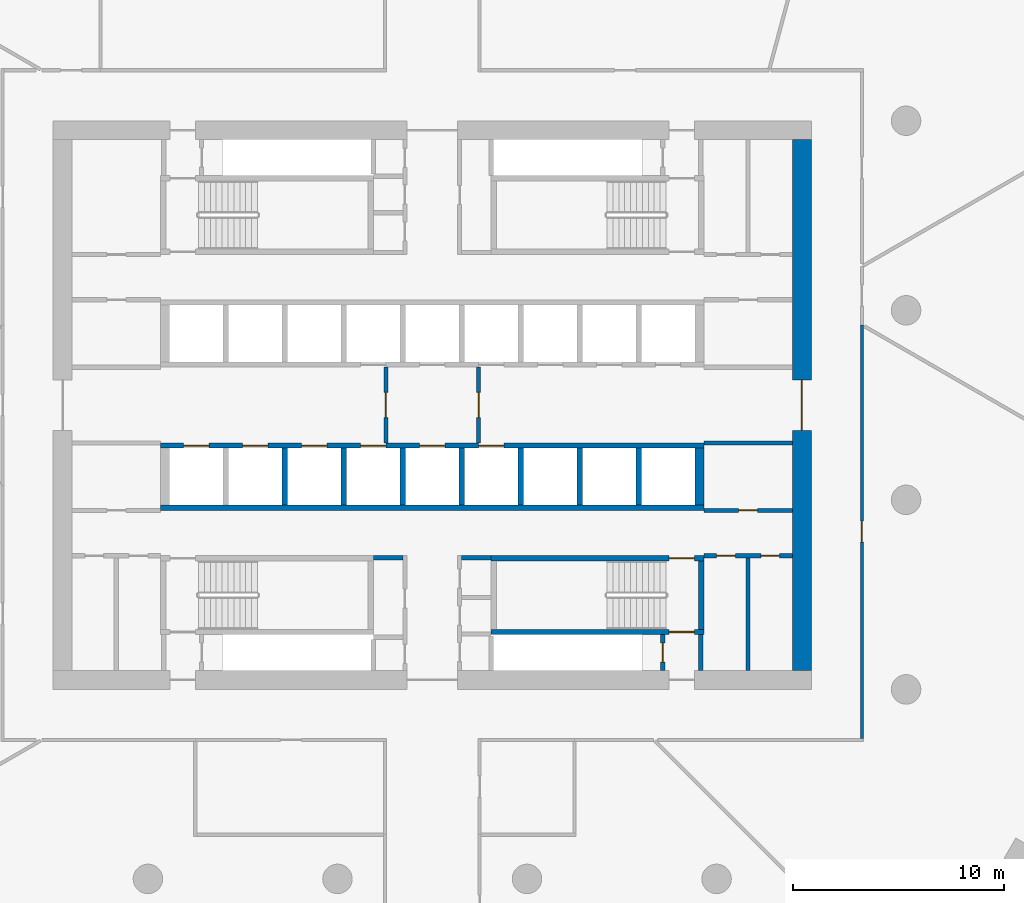
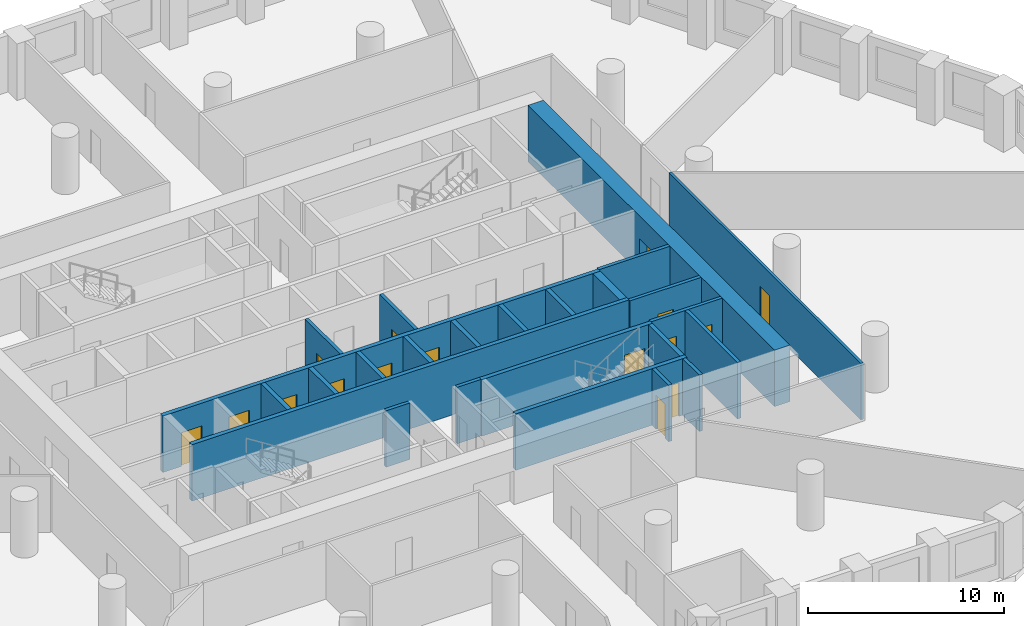
# One storey, part 4 of 10: 25 walls, 16 doors, 16 openings.
"""IFC4 building model written with IfcOpenShell, lengths in metres."""

from ifc_helpers import new_model, si_unit, direction, frame, frame_2d, origin, place, context, subcontext, project, spatial, polyline, rectangle, outline, extrude, material, layer, layer_set, type_object, element, fill, save


model = new_model("IFC4")

# Units and contexts
model_context = context("Model", 3, precision=1e-05, world=origin(), true_north=direction((0.0, 1.0)))
body_context = subcontext(model_context, "Body", "Model", "MODEL_VIEW")
ifc_project = project(units=[si_unit("LENGTHUNIT", "METRE"), si_unit("AREAUNIT", "SQUARE_METRE"), si_unit("VOLUMEUNIT", "CUBIC_METRE"), si_unit("PLANEANGLEUNIT", "RADIAN"), si_unit("MASSUNIT", "GRAM", prefix="KILO")], contexts=[model_context])

# Site, building, storey
site_placement = place(None, origin())
site = spatial("IfcSite", under=ifc_project, at=site_placement, CompositionType="ELEMENT")
building_placement = place(site_placement, origin())
building = spatial("IfcBuilding", under=site, at=building_placement, Name="Dhurran Vertical Campus", CompositionType="ELEMENT")
storey_placement = place(building_placement, frame((0.0, 0.0, 41.699951171875)))
storey = spatial("IfcBuildingStorey", under=building, at=storey_placement, Name="L09", CompositionType="ELEMENT", Elevation=41.699951171875)

# Wall, opening, door
ifc_material_1 = material(Name="Concrete C60/75", Category="concrete")
ifc_layer_1 = layer(ifc_material_1, 0.89990234375)
ifc_layer_set_1 = layer_set([ifc_layer_1], Name="Concrete C60/75")
wall_type_1 = type_object("IfcWallType", Name="co-CORE-WALL-C0-900", PredefinedType="SHEAR", material=ifc_layer_set_1)
wall_1_placement = place(storey_placement, frame((17.550048828125, -12.60009765625, 0.0), z_axis=(0.0, 0.0, 1.0), x_axis=(0.0, 1.0, 0.0)))
wall_1 = element("IfcWall", 1, at=wall_1_placement, inside=storey, type_object=wall_type_1, Name="Core wall E L09", PredefinedType="SHEAR", context=body_context, shape_type="SweptSolid", body=[
    extrude(rectangle(XDim=25.2001953125, YDim=0.89990234375, at=frame_2d((12.60009765625, 0.0))), origin(), (0.0, 0.0, 1.0), 3.525146484375),
])
opening_1_placement = place(wall_1_placement, frame((11.39990234375, 0.0, 0.0)))
opening_1 = element("IfcOpeningElement", 2, at=opening_1_placement, cuts=wall_1, Name="Opening CL2", PredefinedType="OPENING", context=body_context, shape_type="SweptSolid", body=[
    extrude(rectangle(XDim=2.39990234375, YDim=2.10009765625, at=frame_2d((1.199951171875, 1.050048828125))), frame((0.0, 0.4599609375, 0.0), z_axis=(0.0, -1.0, 0.0), x_axis=(1.0, 0.0, 0.0)), (0.0, 0.0, 1.0), 0.919921875),
])
ifc_material_2 = material(Name="Fire-rated glazed door set")
door_type_1 = type_object("IfcDoorType", Name="co-D-LOBBY 2400x2100", OperationType="DOUBLE_DOOR_DOUBLE_SWING", PredefinedType="DOOR", material=ifc_material_2)
door_1_placement = place(opening_1_placement, origin())
door_1 = element("IfcDoor", 3, at=door_1_placement, inside=storey, type_object=door_type_1, Name="Lift lobby door E L09", OperationType="DOUBLE_DOOR_DOUBLE_SWING", OverallHeight=2.10009765625, OverallWidth=2.39990234375, PredefinedType="DOOR", context=body_context, shape_type="SweptSolid", body=[
    extrude(rectangle(XDim=2.39990234375, YDim=2.10009765625, at=frame_2d((1.199951171875, 1.050048828125))), frame((0.0, 0.02490234375, 0.0), z_axis=(0.0, -1.0, 0.0), x_axis=(1.0, 0.0, 0.0)), (0.0, 0.0, 1.0), 0.050048828125),
])
fill(opening_1, door_1)

ifc_material_3 = material(Name="Fire-rated masonry blockwork", Category="masonry")
ifc_layer_2 = layer(ifc_material_3, 0.199951171875)
ifc_layer_set_2 = layer_set([ifc_layer_2], Name="Fire-rated masonry blockwork")
wall_type_2 = type_object("IfcWallType", Name="co-FIRE-PARTITION-200", PredefinedType="PARTITIONING", material=ifc_layer_set_2)
wall_2_placement = place(storey_placement, frame((-2.199951171875, -1.800048828125, 0.0), z_axis=(0.0, 0.0, 1.0), x_axis=(0.0, 1.0, 0.0)))
wall_2 = element("IfcWall", 4, at=wall_2_placement, inside=storey, type_object=wall_type_2, Name="Firefighting lobby wall W L09", PredefinedType="PARTITIONING", context=body_context, shape_type="SweptSolid", body=[
    extrude(rectangle(XDim=3.60009765625, YDim=0.199951171875, at=frame_2d((1.800048828125, 0.0))), origin(), (0.0, 0.0, 1.0), 3.525146484375),
])
opening_2_placement = place(wall_2_placement, frame((1.199951171875, 0.0, 0.0)))
opening_2 = element("IfcOpeningElement", 5, at=opening_2_placement, cuts=wall_2, Name="Opening FL1", PredefinedType="OPENING", context=body_context, shape_type="SweptSolid", body=[
    extrude(rectangle(XDim=1.199951171875, YDim=2.10009765625, at=frame_2d((0.60009765625, 1.050048828125))), frame((0.0, 0.10986328125, 0.0), z_axis=(0.0, -1.0, 0.0), x_axis=(1.0, 0.0, 0.0)), (0.0, 0.0, 1.0), 0.219970703125),
])
ifc_material_4 = material(Name="Fire-rated steel door set", Category="steel")
door_type_2 = type_object("IfcDoorType", Name="co-D-FFLOBBY 1200x2100", OperationType="SINGLE_SWING_LEFT", PredefinedType="DOOR", material=ifc_material_4)
door_2_placement = place(opening_2_placement, origin())
door_2 = element("IfcDoor", 6, at=door_2_placement, inside=storey, type_object=door_type_2, Name="Firefighting lobby door W L09", OperationType="SINGLE_SWING_LEFT", OverallHeight=2.10009765625, OverallWidth=1.199951171875, PredefinedType="DOOR", context=body_context, shape_type="SweptSolid", body=[
    extrude(rectangle(XDim=1.199951171875, YDim=2.10009765625, at=frame_2d((0.60009765625, 1.050048828125))), frame((0.0, 0.02490234375, 0.0), z_axis=(0.0, -1.0, 0.0), x_axis=(1.0, 0.0, 0.0)), (0.0, 0.0, 1.0), 0.050048828125),
])
fill(opening_2, door_2)

wall_3_placement = place(storey_placement, frame((2.199951171875, -1.800048828125, 0.0), z_axis=(0.0, 0.0, 1.0), x_axis=(0.0, 1.0, 0.0)))
wall_3 = element("IfcWall", 7, at=wall_3_placement, inside=storey, type_object=wall_type_2, Name="Firefighting lobby wall E L09", PredefinedType="PARTITIONING", context=body_context, shape_type="SweptSolid", body=[
    extrude(rectangle(XDim=3.60009765625, YDim=0.199951171875, at=frame_2d((1.800048828125, 0.0))), origin(), (0.0, 0.0, 1.0), 3.525146484375),
])
opening_3_placement = place(wall_3_placement, frame((1.199951171875, 0.0, 0.0)))
opening_3 = element("IfcOpeningElement", 8, at=opening_3_placement, cuts=wall_3, Name="Opening FL2", PredefinedType="OPENING", context=body_context, shape_type="SweptSolid", body=[
    extrude(rectangle(XDim=1.199951171875, YDim=2.10009765625, at=frame_2d((0.60009765625, 1.050048828125))), frame((0.0, 0.10986328125, 0.0), z_axis=(0.0, -1.0, 0.0), x_axis=(1.0, 0.0, 0.0)), (0.0, 0.0, 1.0), 0.219970703125),
])
door_3_placement = place(opening_3_placement, origin())
door_3 = element("IfcDoor", 9, at=door_3_placement, inside=storey, type_object=door_type_2, Name="Firefighting lobby door E L09", OperationType="SINGLE_SWING_LEFT", OverallHeight=2.10009765625, OverallWidth=1.199951171875, PredefinedType="DOOR", context=body_context, shape_type="SweptSolid", body=[
    extrude(rectangle(XDim=1.199951171875, YDim=2.10009765625, at=frame_2d((0.60009765625, 1.050048828125))), frame((0.0, 0.02490234375, 0.0), z_axis=(0.0, -1.0, 0.0), x_axis=(1.0, 0.0, 0.0)), (0.0, 0.0, 1.0), 0.050048828125),
])
fill(opening_3, door_3)

# Walls
for number, where, z_axis, x_axis, name in (
    (10, (-2.800048828125, -7.25, 0.0), (0.0, 0.0, 1.0), (1.0, 0.0, 0.0), "Core partition sl-SW-S L09"),
    (11, (1.39990234375, -7.25, 0.0), (0.0, 0.0, 1.0), (1.0, 0.0, 0.0), "Core partition sl-SE-S L09"),
):
    element("IfcWall", number, at=place(storey_placement, frame(where, z_axis=z_axis, x_axis=x_axis)), inside=storey, type_object=wall_type_2, Name=name, PredefinedType="PARTITIONING", context=body_context, shape_type="SweptSolid", body=[
        extrude(rectangle(XDim=1.400146484375, YDim=0.199951171875, at=frame_2d((0.7001953125, 0.0))), origin(), (0.0, 0.0, 1.0), 3.525146484375),
    ])
wall_4_placement = place(storey_placement, frame((12.75, -12.60009765625, 0.0), z_axis=(0.0, 0.0, 1.0), x_axis=(0.0, 1.0, 0.0)))
element("IfcWall", 12, at=wall_4_placement, inside=storey, type_object=wall_type_2, Name="Core partition pass-ST4-o L09", PredefinedType="PARTITIONING", context=body_context, shape_type="SweptSolid", body=[
    extrude(rectangle(XDim=1.7001953125, YDim=0.199951171875, at=frame_2d((0.85009765625, 0.0))), origin(), (0.0, 0.0, 1.0), 3.525146484375),
])

# Wall, opening, door
wall_5_placement = place(storey_placement, frame((10.949951171875, -12.60009765625, 0.0), z_axis=(0.0, 0.0, 1.0), x_axis=(0.0, 1.0, 0.0)))
wall_5 = element("IfcWall", 13, at=wall_5_placement, inside=storey, type_object=wall_type_2, Name="Core partition pass-ST4-i L09", PredefinedType="PARTITIONING", context=body_context, shape_type="SweptSolid", body=[
    extrude(rectangle(XDim=1.7001953125, YDim=0.199951171875, at=frame_2d((0.85009765625, 0.0))), origin(), (0.0, 0.0, 1.0), 3.525146484375),
])
opening_4_placement = place(wall_5_placement, frame((0.39990234375, 0.0, 0.0)))
opening_4 = element("IfcOpeningElement", 14, at=opening_4_placement, cuts=wall_5, Name="Opening T02-C13", PredefinedType="OPENING", context=body_context, shape_type="SweptSolid", body=[
    extrude(rectangle(XDim=0.89990234375, YDim=2.10009765625, at=frame_2d((0.449951171875, 1.050048828125))), frame((0.0, 0.10986328125, 0.0), z_axis=(0.0, -1.0, 0.0), x_axis=(1.0, 0.0, 0.0)), (0.0, 0.0, 1.0), 0.219970703125),
])
ifc_material_5 = material(Name="Fire-rated timber door set", Category="wood")
door_type_3 = type_object("IfcDoorType", Name="co-D-ROOM 900x2100", OperationType="SINGLE_SWING_LEFT", PredefinedType="DOOR", material=ifc_material_5)
door_4_placement = place(opening_4_placement, origin())
door_4 = element("IfcDoor", 15, at=door_4_placement, inside=storey, type_object=door_type_3, Name="Riser room door L09", OperationType="SINGLE_SWING_LEFT", OverallHeight=2.10009765625, OverallWidth=0.89990234375, PredefinedType="DOOR", context=body_context, shape_type="SweptSolid", body=[
    extrude(rectangle(XDim=0.89990234375, YDim=2.10009765625, at=frame_2d((0.449951171875, 1.050048828125))), frame((0.0, 0.02490234375, 0.0), z_axis=(0.0, -1.0, 0.0), x_axis=(1.0, 0.0, 0.0)), (0.0, 0.0, 1.0), 0.050048828125),
])
fill(opening_4, door_4)

# Wall
wall_6_placement = place(storey_placement, frame((15.0, -12.60009765625, 0.0), z_axis=(0.0, 0.0, 1.0), x_axis=(0.0, 1.0, 0.0)))
element("IfcWall", 16, at=wall_6_placement, inside=storey, type_object=wall_type_2, Name="Core partition en-SE-cut0 L09", PredefinedType="PARTITIONING", context=body_context, shape_type="SweptSolid", body=[
    extrude(rectangle(XDim=5.4501953125, YDim=0.199951171875, at=frame_2d((2.72509765625, 0.0))), origin(), (0.0, 0.0, 1.0), 3.525146484375),
])

# Wall, openings, doors
wall_7_placement = place(storey_placement, frame((12.89990234375, -7.14990234375, 0.0), z_axis=(0.0, 0.0, 1.0), x_axis=(1.0, 0.0, 0.0)))
wall_7 = element("IfcWall", 17, at=wall_7_placement, inside=storey, type_object=wall_type_2, Name="Core partition en-SE-w L09", PredefinedType="PARTITIONING", context=body_context, shape_type="SweptSolid", body=[
    extrude(rectangle(XDim=4.2001953125, YDim=0.199951171875, at=frame_2d((2.10009765625, 0.0))), origin(), (0.0, 0.0, 1.0), 3.525146484375),
])
opening_5_placement = place(wall_7_placement, frame((0.60009765625, 0.0, 0.0)))
opening_5 = element("IfcOpeningElement", 18, at=opening_5_placement, cuts=wall_7, Name="Opening T02-C22", PredefinedType="OPENING", context=body_context, shape_type="SweptSolid", body=[
    extrude(rectangle(XDim=0.89990234375, YDim=2.10009765625, at=frame_2d((0.449951171875, 1.050048828125))), frame((0.0, 0.10986328125, 0.0), z_axis=(0.0, -1.0, 0.0), x_axis=(1.0, 0.0, 0.0)), (0.0, 0.0, 1.0), 0.219970703125),
])
opening_6_placement = place(wall_7_placement, frame((2.699951171875, 0.0, 0.0)))
opening_6 = element("IfcOpeningElement", 19, at=opening_6_placement, cuts=wall_7, Name="Opening T02-C23", PredefinedType="OPENING", context=body_context, shape_type="SweptSolid", body=[
    extrude(rectangle(XDim=0.89990234375, YDim=2.10009765625, at=frame_2d((0.449951171875, 1.050048828125))), frame((0.0, 0.10986328125, 0.0), z_axis=(0.0, -1.0, 0.0), x_axis=(1.0, 0.0, 0.0)), (0.0, 0.0, 1.0), 0.219970703125),
])
door_5_placement = place(opening_5_placement, origin())
door_5 = element("IfcDoor", 20, at=door_5_placement, inside=storey, type_object=door_type_3, Name="Store door L09", OperationType="SINGLE_SWING_LEFT", OverallHeight=2.10009765625, OverallWidth=0.89990234375, PredefinedType="DOOR", context=body_context, shape_type="SweptSolid", body=[
    extrude(rectangle(XDim=0.89990234375, YDim=2.10009765625, at=frame_2d((0.449951171875, 1.050048828125))), frame((0.0, 0.02490234375, 0.0), z_axis=(0.0, -1.0, 0.0), x_axis=(1.0, 0.0, 0.0)), (0.0, 0.0, 1.0), 0.050048828125),
])
fill(opening_5, door_5)
door_6_placement = place(opening_6_placement, origin())
door_6 = element("IfcDoor", 21, at=door_6_placement, inside=storey, type_object=door_type_3, Name="Housekeeping store door L09", OperationType="SINGLE_SWING_LEFT", OverallHeight=2.10009765625, OverallWidth=0.89990234375, PredefinedType="DOOR", context=body_context, shape_type="SweptSolid", body=[
    extrude(rectangle(XDim=0.89990234375, YDim=2.10009765625, at=frame_2d((0.449951171875, 1.050048828125))), frame((0.0, 0.02490234375, 0.0), z_axis=(0.0, -1.0, 0.0), x_axis=(1.0, 0.0, 0.0)), (0.0, 0.0, 1.0), 0.050048828125),
])
fill(opening_6, door_6)

# Wall, opening, door
wall_8_placement = place(storey_placement, frame((12.89990234375, -5.0, 0.0), z_axis=(0.0, 0.0, 1.0), x_axis=(1.0, 0.0, 0.0)))
wall_8 = element("IfcWall", 22, at=wall_8_placement, inside=storey, type_object=wall_type_2, Name="Core partition es-SE-w L09", PredefinedType="PARTITIONING", context=body_context, shape_type="SweptSolid", body=[
    extrude(rectangle(XDim=4.2001953125, YDim=0.199951171875, at=frame_2d((2.10009765625, 0.0))), origin(), (0.0, 0.0, 1.0), 3.525146484375),
])
opening_7_placement = place(wall_8_placement, frame((1.64990234375, 0.0, 0.0)))
opening_7 = element("IfcOpeningElement", 23, at=opening_7_placement, cuts=wall_8, Name="Opening T02-C24", PredefinedType="OPENING", context=body_context, shape_type="SweptSolid", body=[
    extrude(rectangle(XDim=0.89990234375, YDim=2.10009765625, at=frame_2d((0.449951171875, 1.050048828125))), frame((0.0, 0.10986328125, 0.0), z_axis=(0.0, -1.0, 0.0), x_axis=(1.0, 0.0, 0.0)), (0.0, 0.0, 1.0), 0.219970703125),
])
door_7_placement = place(opening_7_placement, origin())
door_7 = element("IfcDoor", 24, at=door_7_placement, inside=storey, type_object=door_type_3, Name="Water riser door L09", OperationType="SINGLE_SWING_LEFT", OverallHeight=2.10009765625, OverallWidth=0.89990234375, PredefinedType="DOOR", context=body_context, shape_type="SweptSolid", body=[
    extrude(rectangle(XDim=0.89990234375, YDim=2.10009765625, at=frame_2d((0.449951171875, 1.050048828125))), frame((0.0, 0.02490234375, 0.0), z_axis=(0.0, -1.0, 0.0), x_axis=(1.0, 0.0, 0.0)), (0.0, 0.0, 1.0), 0.050048828125),
])
fill(opening_7, door_7)

# Wall
wall_9_placement = place(storey_placement, frame((12.89990234375, -1.800048828125, 0.0), z_axis=(0.0, 0.0, 1.0), x_axis=(1.0, 0.0, 0.0)))
element("IfcWall", 25, at=wall_9_placement, inside=storey, type_object=wall_type_2, Name="Core partition es-SE-l L09", PredefinedType="PARTITIONING", context=body_context, shape_type="SweptSolid", body=[
    extrude(rectangle(XDim=4.2001953125, YDim=0.199951171875, at=frame_2d((2.10009765625, 0.0))), origin(), (0.0, 0.0, 1.0), 3.525146484375),
])

# Wall, openings, doors
ifc_material_6 = material(Name="Concrete C50/60", Category="concrete")
ifc_layer_3 = layer(ifc_material_6, 0.25)
ifc_layer_set_3 = layer_set([ifc_layer_3], Name="Concrete C50/60")
wall_type_3 = type_object("IfcWallType", Name="co-SHAFT-FRONT-250", PredefinedType="SHEAR", material=ifc_layer_set_3)
wall_10_placement = place(storey_placement, frame((-12.89990234375, -1.925048828125, 0.0), z_axis=(0.0, 0.0, 1.0), x_axis=(1.0, 0.0, 0.0)))
wall_10 = element("IfcWall", 26, at=wall_10_placement, inside=storey, type_object=wall_type_3, Name="Lift landing wall S L09", PredefinedType="SHEAR", context=body_context, shape_type="SweptSolid", body=[
    extrude(rectangle(XDim=25.7998046875, YDim=0.25, at=frame_2d((12.89990234375, 0.0))), origin(), (0.0, 0.0, 1.0), 3.525146484375),
])
opening_8_placement = place(wall_10_placement, frame((1.10009765625, 0.0, 0.0)))
opening_8 = element("IfcOpeningElement", 27, at=opening_8_placement, cuts=wall_10, Name="Opening LD", PredefinedType="OPENING", context=body_context, shape_type="SweptSolid", body=[
    extrude(rectangle(XDim=1.199951171875, YDim=2.10009765625, at=frame_2d((0.60009765625, 1.050048828125))), frame((0.0, 0.135009765625, 0.0), z_axis=(0.0, -1.0, 0.0), x_axis=(1.0, 0.0, 0.0)), (0.0, 0.0, 1.0), 0.27001953125),
])
opening_9_placement = place(wall_10_placement, frame((3.89990234375, 0.0, 0.0)))
opening_9 = element("IfcOpeningElement", 28, at=opening_9_placement, cuts=wall_10, Name="Opening LD", PredefinedType="OPENING", context=body_context, shape_type="SweptSolid", body=[
    extrude(rectangle(XDim=1.199951171875, YDim=2.10009765625, at=frame_2d((0.60009765625, 1.050048828125))), frame((0.0, 0.135009765625, 0.0), z_axis=(0.0, -1.0, 0.0), x_axis=(1.0, 0.0, 0.0)), (0.0, 0.0, 1.0), 0.27001953125),
])
opening_10_placement = place(wall_10_placement, frame((6.699951171875, 0.0, 0.0)))
opening_10 = element("IfcOpeningElement", 29, at=opening_10_placement, cuts=wall_10, Name="Opening LD", PredefinedType="OPENING", context=body_context, shape_type="SweptSolid", body=[
    extrude(rectangle(XDim=1.199951171875, YDim=2.10009765625, at=frame_2d((0.60009765625, 1.050048828125))), frame((0.0, 0.135009765625, 0.0), z_axis=(0.0, -1.0, 0.0), x_axis=(1.0, 0.0, 0.0)), (0.0, 0.0, 1.0), 0.27001953125),
])
opening_11_placement = place(wall_10_placement, frame((9.5, 0.0, 0.0)))
opening_11 = element("IfcOpeningElement", 30, at=opening_11_placement, cuts=wall_10, Name="Opening LD", PredefinedType="OPENING", context=body_context, shape_type="SweptSolid", body=[
    extrude(rectangle(XDim=1.199951171875, YDim=2.10009765625, at=frame_2d((0.60009765625, 1.050048828125))), frame((0.0, 0.135009765625, 0.0), z_axis=(0.0, -1.0, 0.0), x_axis=(1.0, 0.0, 0.0)), (0.0, 0.0, 1.0), 0.27001953125),
])
opening_12_placement = place(wall_10_placement, frame((12.300048828125, 0.0, 0.0)))
opening_12 = element("IfcOpeningElement", 31, at=opening_12_placement, cuts=wall_10, Name="Opening LD", PredefinedType="OPENING", context=body_context, shape_type="SweptSolid", body=[
    extrude(rectangle(XDim=1.199951171875, YDim=2.10009765625, at=frame_2d((0.60009765625, 1.050048828125))), frame((0.0, 0.135009765625, 0.0), z_axis=(0.0, -1.0, 0.0), x_axis=(1.0, 0.0, 0.0)), (0.0, 0.0, 1.0), 0.27001953125),
])
opening_13_placement = place(wall_10_placement, frame((15.10009765625, 0.0, 0.0)))
opening_13 = element("IfcOpeningElement", 32, at=opening_13_placement, cuts=wall_10, Name="Opening LD", PredefinedType="OPENING", context=body_context, shape_type="SweptSolid", body=[
    extrude(rectangle(XDim=1.199951171875, YDim=2.10009765625, at=frame_2d((0.60009765625, 1.050048828125))), frame((0.0, 0.135009765625, 0.0), z_axis=(0.0, -1.0, 0.0), x_axis=(1.0, 0.0, 0.0)), (0.0, 0.0, 1.0), 0.27001953125),
])
ifc_material_7 = material(Name="Stainless steel landing door", Category="steel")
door_type_4 = type_object("IfcDoorType", Name="co-D-LANDING 1200x2100", OperationType="DOUBLE_DOOR_SLIDING", PredefinedType="DOOR", material=ifc_material_7)
door_8_placement = place(opening_8_placement, origin())
door_8 = element("IfcDoor", 33, at=door_8_placement, inside=storey, type_object=door_type_4, Name="Landing door LR5 L09", OperationType="DOUBLE_DOOR_SLIDING", OverallHeight=2.10009765625, OverallWidth=1.199951171875, PredefinedType="DOOR", context=body_context, shape_type="SweptSolid", body=[
    extrude(rectangle(XDim=1.199951171875, YDim=2.10009765625, at=frame_2d((0.60009765625, 1.050048828125))), frame((0.0, 0.02490234375, 0.0), z_axis=(0.0, -1.0, 0.0), x_axis=(1.0, 0.0, 0.0)), (0.0, 0.0, 1.0), 0.050048828125),
])
fill(opening_8, door_8)
door_9_placement = place(opening_9_placement, origin())
door_9 = element("IfcDoor", 34, at=door_9_placement, inside=storey, type_object=door_type_4, Name="Landing door LR6 L09", OperationType="DOUBLE_DOOR_SLIDING", OverallHeight=2.10009765625, OverallWidth=1.199951171875, PredefinedType="DOOR", context=body_context, shape_type="SweptSolid", body=[
    extrude(rectangle(XDim=1.199951171875, YDim=2.10009765625, at=frame_2d((0.60009765625, 1.050048828125))), frame((0.0, 0.02490234375, 0.0), z_axis=(0.0, -1.0, 0.0), x_axis=(1.0, 0.0, 0.0)), (0.0, 0.0, 1.0), 0.050048828125),
])
fill(opening_9, door_9)
door_10_placement = place(opening_10_placement, origin())
door_10 = element("IfcDoor", 35, at=door_10_placement, inside=storey, type_object=door_type_4, Name="Landing door LR7 L09", OperationType="DOUBLE_DOOR_SLIDING", OverallHeight=2.10009765625, OverallWidth=1.199951171875, PredefinedType="DOOR", context=body_context, shape_type="SweptSolid", body=[
    extrude(rectangle(XDim=1.199951171875, YDim=2.10009765625, at=frame_2d((0.60009765625, 1.050048828125))), frame((0.0, 0.02490234375, 0.0), z_axis=(0.0, -1.0, 0.0), x_axis=(1.0, 0.0, 0.0)), (0.0, 0.0, 1.0), 0.050048828125),
])
fill(opening_10, door_10)
door_11_placement = place(opening_11_placement, origin())
door_11 = element("IfcDoor", 36, at=door_11_placement, inside=storey, type_object=door_type_4, Name="Landing door LR8 L09", OperationType="DOUBLE_DOOR_SLIDING", OverallHeight=2.10009765625, OverallWidth=1.199951171875, PredefinedType="DOOR", context=body_context, shape_type="SweptSolid", body=[
    extrude(rectangle(XDim=1.199951171875, YDim=2.10009765625, at=frame_2d((0.60009765625, 1.050048828125))), frame((0.0, 0.02490234375, 0.0), z_axis=(0.0, -1.0, 0.0), x_axis=(1.0, 0.0, 0.0)), (0.0, 0.0, 1.0), 0.050048828125),
])
fill(opening_11, door_11)
door_12_placement = place(opening_12_placement, origin())
door_12 = element("IfcDoor", 37, at=door_12_placement, inside=storey, type_object=door_type_4, Name="Landing door FF2 L09", OperationType="DOUBLE_DOOR_SLIDING", OverallHeight=2.10009765625, OverallWidth=1.199951171875, PredefinedType="DOOR", context=body_context, shape_type="SweptSolid", body=[
    extrude(rectangle(XDim=1.199951171875, YDim=2.10009765625, at=frame_2d((0.60009765625, 1.050048828125))), frame((0.0, 0.02490234375, 0.0), z_axis=(0.0, -1.0, 0.0), x_axis=(1.0, 0.0, 0.0)), (0.0, 0.0, 1.0), 0.050048828125),
])
fill(opening_12, door_12)
door_13_placement = place(opening_13_placement, origin())
door_13 = element("IfcDoor", 38, at=door_13_placement, inside=storey, type_object=door_type_4, Name="Landing door SV1 L09", OperationType="DOUBLE_DOOR_SLIDING", OverallHeight=2.10009765625, OverallWidth=1.199951171875, PredefinedType="DOOR", context=body_context, shape_type="SweptSolid", body=[
    extrude(rectangle(XDim=1.199951171875, YDim=2.10009765625, at=frame_2d((0.60009765625, 1.050048828125))), frame((0.0, 0.02490234375, 0.0), z_axis=(0.0, -1.0, 0.0), x_axis=(1.0, 0.0, 0.0)), (0.0, 0.0, 1.0), 0.050048828125),
])
fill(opening_13, door_13)

# Walls
ifc_material_8 = material(Name="Concrete C50/60", Category="concrete")
ifc_layer_4 = layer(ifc_material_8, 0.25)
ifc_layer_set_4 = layer_set([ifc_layer_4], Name="Concrete C50/60")
wall_type_4 = type_object("IfcWallType", Name="co-SHAFT-MASS-250", PredefinedType="SHEAR", material=ifc_layer_set_4)
wall_11_placement = place(storey_placement, origin())
element("IfcWall", 39, at=wall_11_placement, inside=storey, type_object=wall_type_4, Name="Lift shaft wall S L09 1", PredefinedType="SHEAR", context=body_context, shape_type="SweptSolid", body=[
    extrude(outline(polyline([(-12.89990234375, -5.0), (12.89990234375, -5.0), (12.89990234375, -4.75), (-12.89990234375, -4.75), (-12.89990234375, -5.0)])), origin(), (0.0, 0.0, 1.0), 3.525146484375),
])
wall_12_placement = place(storey_placement, origin())
element("IfcWall", 40, at=wall_12_placement, inside=storey, type_object=wall_type_4, Name="Lift shaft wall S L09 4", PredefinedType="SHEAR", context=body_context, shape_type="SweptSolid", body=[
    extrude(outline(polyline([(-7.125, -4.75), (-6.875, -4.75), (-6.875, -2.050048828125), (-7.125, -2.050048828125), (-7.125, -4.75)])), origin(), (0.0, 0.0, 1.0), 3.525146484375),
])
wall_13_placement = place(storey_placement, origin())
element("IfcWall", 41, at=wall_13_placement, inside=storey, type_object=wall_type_4, Name="Lift shaft wall S L09 5", PredefinedType="SHEAR", context=body_context, shape_type="SweptSolid", body=[
    extrude(outline(polyline([(-4.324951171875, -4.75), (-4.074951171875, -4.75), (-4.074951171875, -2.050048828125), (-4.324951171875, -2.050048828125), (-4.324951171875, -4.75)])), origin(), (0.0, 0.0, 1.0), 3.525146484375),
])
wall_14_placement = place(storey_placement, origin())
element("IfcWall", 42, at=wall_14_placement, inside=storey, type_object=wall_type_4, Name="Lift shaft wall S L09 6", PredefinedType="SHEAR", context=body_context, shape_type="SweptSolid", body=[
    extrude(outline(polyline([(-1.52490234375, -4.75), (-1.27490234375, -4.75), (-1.27490234375, -2.050048828125), (-1.52490234375, -2.050048828125), (-1.52490234375, -4.75)])), origin(), (0.0, 0.0, 1.0), 3.525146484375),
])
wall_15_placement = place(storey_placement, origin())
element("IfcWall", 43, at=wall_15_placement, inside=storey, type_object=wall_type_4, Name="Lift shaft wall S L09 7", PredefinedType="SHEAR", context=body_context, shape_type="SweptSolid", body=[
    extrude(outline(polyline([(1.27490234375, -4.75), (1.52490234375, -4.75), (1.52490234375, -2.050048828125), (1.27490234375, -2.050048828125), (1.27490234375, -4.75)])), origin(), (0.0, 0.0, 1.0), 3.525146484375),
])
wall_16_placement = place(storey_placement, origin())
element("IfcWall", 44, at=wall_16_placement, inside=storey, type_object=wall_type_4, Name="Lift shaft wall S L09 8", PredefinedType="SHEAR", context=body_context, shape_type="SweptSolid", body=[
    extrude(outline(polyline([(4.074951171875, -4.75), (4.324951171875, -4.75), (4.324951171875, -2.050048828125), (4.074951171875, -2.050048828125), (4.074951171875, -4.75)])), origin(), (0.0, 0.0, 1.0), 3.525146484375),
])
wall_17_placement = place(storey_placement, origin())
element("IfcWall", 45, at=wall_17_placement, inside=storey, type_object=wall_type_4, Name="Lift shaft wall S L09 9", PredefinedType="SHEAR", context=body_context, shape_type="SweptSolid", body=[
    extrude(outline(polyline([(6.875, -4.75), (7.125, -4.75), (7.125, -2.050048828125), (6.875, -2.050048828125), (6.875, -4.75)])), origin(), (0.0, 0.0, 1.0), 3.525146484375),
])
wall_18_placement = place(storey_placement, origin())
element("IfcWall", 46, at=wall_18_placement, inside=storey, type_object=wall_type_4, Name="Lift shaft wall S L09 10", PredefinedType="SHEAR", context=body_context, shape_type="SweptSolid", body=[
    extrude(outline(polyline([(9.675048828125, -4.75), (9.925048828125, -4.75), (9.925048828125, -2.050048828125), (9.675048828125, -2.050048828125), (9.675048828125, -4.75)])), origin(), (0.0, 0.0, 1.0), 3.525146484375),
])
wall_19_placement = place(storey_placement, origin())
element("IfcWall", 47, at=wall_19_placement, inside=storey, type_object=wall_type_4, Name="Lift shaft wall S L09 11", PredefinedType="SHEAR", context=body_context, shape_type="SweptSolid", body=[
    extrude(outline(polyline([(12.47509765625, -4.75), (12.89990234375, -4.75), (12.89990234375, -2.050048828125), (12.47509765625, -2.050048828125), (12.47509765625, -4.75)])), origin(), (0.0, 0.0, 1.0), 3.525146484375),
])

# Wall, opening, door
ifc_material_9 = material(Name="Concrete C40/50", Category="concrete")
ifc_layer_5 = layer(ifc_material_9, 0.25)
ifc_layer_set_5 = layer_set([ifc_layer_5], Name="Concrete C40/50")
wall_type_5 = type_object("IfcWallType", Name="co-STAIR-WALL-250", PredefinedType="SHEAR", material=ifc_layer_set_5)
wall_20_placement = place(storey_placement, frame((2.800048828125, -10.77490234375, 0.0), z_axis=(0.0, 0.0, 1.0), x_axis=(1.0, 0.0, 0.0)))
wall_20 = element("IfcWall", 48, at=wall_20_placement, inside=storey, type_object=wall_type_5, Name="Stair ST4 enclosure wall L09", PredefinedType="SHEAR", context=body_context, shape_type="SweptSolid", body=[
    extrude(rectangle(XDim=10.099853515625, YDim=0.25, at=frame_2d((5.0498046875, 0.0))), origin(), (0.0, 0.0, 1.0), 3.525146484375),
])
opening_14_placement = place(wall_20_placement, frame((8.449951171875, 0.0, 0.0)))
opening_14 = element("IfcOpeningElement", 49, at=opening_14_placement, cuts=wall_20, Name="Opening XS4", PredefinedType="OPENING", context=body_context, shape_type="SweptSolid", body=[
    extrude(rectangle(XDim=1.199951171875, YDim=2.10009765625, at=frame_2d((0.60009765625, 1.050048828125))), frame((0.0, 0.135009765625, 0.0), z_axis=(0.0, -1.0, 0.0), x_axis=(1.0, 0.0, 0.0)), (0.0, 0.0, 1.0), 0.27001953125),
])
ifc_material_10 = material(Name="Fire-rated steel door set", Category="steel")
door_type_5 = type_object("IfcDoorType", Name="co-D-STAIR-EXIT 1200x2100", OperationType="SINGLE_SWING_RIGHT", PredefinedType="DOOR", material=ifc_material_10)
door_14_placement = place(opening_14_placement, origin())
door_14 = element("IfcDoor", 50, at=door_14_placement, inside=storey, type_object=door_type_5, Name="Stair ST4 discharge door L09", OperationType="SINGLE_SWING_RIGHT", OverallHeight=2.10009765625, OverallWidth=1.199951171875, PredefinedType="DOOR", context=body_context, shape_type="SweptSolid", body=[
    extrude(rectangle(XDim=1.199951171875, YDim=2.10009765625, at=frame_2d((0.60009765625, 1.050048828125))), frame((0.0, 0.02490234375, 0.0), z_axis=(0.0, -1.0, 0.0), x_axis=(1.0, 0.0, 0.0)), (0.0, 0.0, 1.0), 0.050048828125),
])
fill(opening_14, door_14)

wall_21_placement = place(storey_placement, frame((2.800048828125, -7.27490234375, 0.0), z_axis=(0.0, 0.0, 1.0), x_axis=(1.0, 0.0, 0.0)))
wall_21 = element("IfcWall", 51, at=wall_21_placement, inside=storey, type_object=wall_type_5, Name="Stair ST4 enclosure wall L09", PredefinedType="SHEAR", context=body_context, shape_type="SweptSolid", body=[
    extrude(rectangle(XDim=10.099853515625, YDim=0.25, at=frame_2d((5.0498046875, 0.0))), origin(), (0.0, 0.0, 1.0), 3.525146484375),
])
opening_15_placement = place(wall_21_placement, frame((8.449951171875, 0.0, 0.0)))
opening_15 = element("IfcOpeningElement", 52, at=opening_15_placement, cuts=wall_21, Name="Opening SD4", PredefinedType="OPENING", context=body_context, shape_type="SweptSolid", body=[
    extrude(rectangle(XDim=1.199951171875, YDim=2.10009765625, at=frame_2d((0.60009765625, 1.050048828125))), frame((0.0, 0.135009765625, 0.0), z_axis=(0.0, -1.0, 0.0), x_axis=(1.0, 0.0, 0.0)), (0.0, 0.0, 1.0), 0.27001953125),
])
ifc_material_11 = material(Name="Fire-rated steel door set", Category="steel")
door_type_6 = type_object("IfcDoorType", Name="co-D-STAIR 1200x2100", OperationType="SINGLE_SWING_LEFT", PredefinedType="DOOR", material=ifc_material_11)
door_15_placement = place(opening_15_placement, origin())
door_15 = element("IfcDoor", 53, at=door_15_placement, inside=storey, type_object=door_type_6, Name="Stair ST4 door L09", OperationType="SINGLE_SWING_LEFT", OverallHeight=2.10009765625, OverallWidth=1.199951171875, PredefinedType="DOOR", context=body_context, shape_type="SweptSolid", body=[
    extrude(rectangle(XDim=1.199951171875, YDim=2.10009765625, at=frame_2d((0.60009765625, 1.050048828125))), frame((0.0, 0.02490234375, 0.0), z_axis=(0.0, -1.0, 0.0), x_axis=(1.0, 0.0, 0.0)), (0.0, 0.0, 1.0), 0.050048828125),
])
fill(opening_15, door_15)

# Wall
wall_22_placement = place(storey_placement, frame((12.77490234375, -10.64990234375, 0.0), z_axis=(0.0, 0.0, 1.0), x_axis=(0.0, 1.0, 0.0)))
element("IfcWall", 54, at=wall_22_placement, inside=storey, type_object=wall_type_5, Name="Stair ST4 enclosure wall L09", PredefinedType="SHEAR", context=body_context, shape_type="SweptSolid", body=[
    extrude(rectangle(XDim=3.25, YDim=0.25, at=frame_2d((1.625, 0.0))), origin(), (0.0, 0.0, 1.0), 3.525146484375),
])

# Wall, opening, door
ifc_material_12 = material(Name="Gypsum board corridor wall on steel studs", Category="steel")
ifc_layer_6 = layer(ifc_material_12, 0.14990234375)
ifc_layer_set_6 = layer_set([ifc_layer_6], Name="Gypsum board corridor wall on steel studs")
wall_type_6 = type_object("IfcWallType", Name="fl-CW-150 corridor wall", PredefinedType="PARTITIONING", material=ifc_layer_set_6)
wall_23_placement = place(storey_placement, frame((20.39990234375, -15.824951171875, 0.0), z_axis=(0.0, 0.0, 1.0), x_axis=(0.0, 1.0, 0.0)))
wall_23 = element("IfcWall", 55, at=wall_23_placement, inside=storey, type_object=wall_type_6, Name="Partition 09-39", PredefinedType="PARTITIONING", context=body_context, shape_type="SweptSolid", body=[
    extrude(rectangle(XDim=19.635986328125, YDim=0.14990234375, at=frame_2d((9.81787109375, 0.0))), origin(), (0.0, 0.0, 1.0), 3.525146484375),
])
opening_16_placement = place(wall_23_placement, frame((9.318115234375, 0.0, 0.0)))
opening_16 = element("IfcOpeningElement", 56, at=opening_16_placement, cuts=wall_23, Name="Opening T02.14", PredefinedType="OPENING", context=body_context, shape_type="SweptSolid", body=[
    extrude(rectangle(XDim=1.0, YDim=2.10009765625, at=frame_2d((0.5, 1.050048828125))), frame((0.0, 0.0849609375, 0.0), z_axis=(0.0, -1.0, 0.0), x_axis=(1.0, 0.0, 0.0)), (0.0, 0.0, 1.0), 0.169921875),
])
ifc_material_13 = material(Name="Solid-core timber door set, fire-rated", Category="wood")
door_type_7 = type_object("IfcDoorType", Name="fl-D-1000x2100", OperationType="SINGLE_SWING_LEFT", PredefinedType="DOOR", material=ifc_material_13)
door_16_placement = place(opening_16_placement, origin())
door_16 = element("IfcDoor", 57, at=door_16_placement, inside=storey, type_object=door_type_7, Name="Door 09.14", OperationType="SINGLE_SWING_LEFT", OverallHeight=2.10009765625, OverallWidth=1.0, PredefinedType="DOOR", context=body_context, shape_type="SweptSolid", body=[
    extrude(rectangle(XDim=1.0, YDim=2.10009765625, at=frame_2d((0.5, 1.050048828125))), frame((0.0, 0.02490234375, 0.0), z_axis=(0.0, -1.0, 0.0), x_axis=(1.0, 0.0, 0.0)), (0.0, 0.0, 1.0), 0.050048828125),
])
fill(opening_16, door_16)

save(model, "model.ifc")
